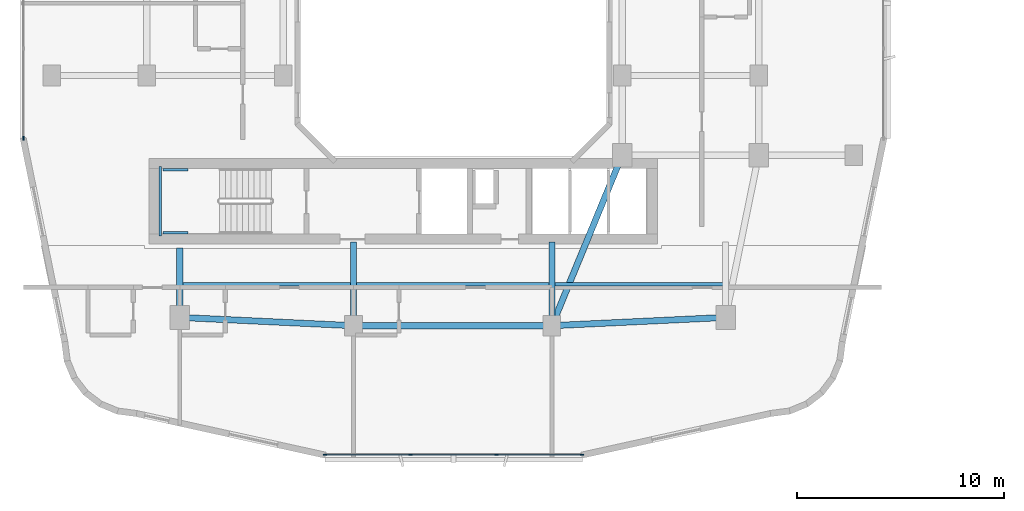
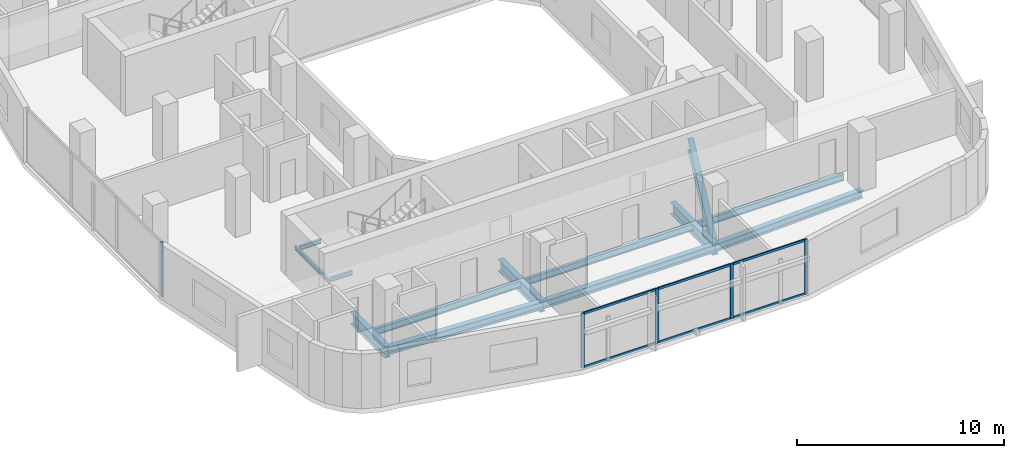
# One storey, part 2 of 25: 13 beams, 11 members, 2 elements without a shape of their own.
"""IFC4 building model written with IfcOpenShell, lengths in metres."""

from ifc_helpers import new_model, si_unit, derived_unit, direction, frame, origin, origin_2d, place, context, subcontext, project, spatial, rectangle, i_section, extrude, material, layer, layer_set, material_profile, profile_set, type_object, element, aggregate, save


model = new_model("IFC4")

# Units and contexts
model_context = context("Model", 3, precision=1e-05, world=origin(), true_north=direction((0.0, 1.0)))
body_context = subcontext(model_context, "Body", "Model", "MODEL_VIEW")
ifc_project = project(units=[si_unit("LENGTHUNIT", "METRE"), si_unit("AREAUNIT", "SQUARE_METRE"), si_unit("VOLUMEUNIT", "CUBIC_METRE"), si_unit("PLANEANGLEUNIT", "RADIAN"), si_unit("MASSUNIT", "GRAM", prefix="KILO"), derived_unit("THERMALTRANSMITTANCEUNIT", [(si_unit("POWERUNIT", "WATT"), 1), (si_unit("LENGTHUNIT", "METRE"), -2), (si_unit("THERMODYNAMICTEMPERATUREUNIT", "KELVIN"), -1)])], contexts=[model_context])

# Site, building, storey
site_placement = place(None, origin())
site = spatial("IfcSite", under=ifc_project, at=site_placement, CompositionType="ELEMENT")
building_placement = place(site_placement, origin())
building = spatial("IfcBuilding", under=site, at=building_placement, Name="Kivonza Crest Hotel", CompositionType="ELEMENT")
storey_placement = place(building_placement, frame((0.0, 0.0, 83.5)))
storey = spatial("IfcBuildingStorey", under=building, at=storey_placement, Name="L22", CompositionType="ELEMENT", Elevation=83.5)

# Beams
ifc_material_1 = material(Name="Steel S355", Category="steel")
ifc_material_profile_1 = material_profile(ifc_material_1, i_section(OverallWidth=0.300048828125, OverallDepth=0.449951171875, WebThickness=0.013916015625, FlangeThickness=0.02587890625, FilletRadius=0.027099609375, at=origin_2d()), Name="HEB 450")
ifc_profile_set_1 = profile_set([ifc_material_profile_1], Name="Steel S355")
beam_type_1 = type_object("IfcBeamType", Name="BM-HEB450", PredefinedType="SPANDREL", material=ifc_profile_set_1)
beam_1_placement = place(storey_placement, frame((16.199951171875, 9.39990234375, -0.5048828125), z_axis=(1.0, 0.0, 0.0), x_axis=(0.0, 1.0, 0.0)))
element("IfcBeam", 1, at=beam_1_placement, inside=storey, type_object=beam_type_1, Name="Tower T1 L22 perimeter spandrel S1-S2", PredefinedType="SPANDREL", context=body_context, shape_type="SweptSolid", body=[
    extrude(i_section(OverallWidth=0.300048828125, OverallDepth=0.449951171875, WebThickness=0.013916015625, FlangeThickness=0.02587890625, FilletRadius=0.027099609375, at=origin_2d()), origin(), (0.0, 0.0, 1.0), 9.60009765625),
])
for number, where, z_axis, x_axis, name in (
    (2, (25.800048828125, 9.39990234375, -0.5048828125), (0.998867283688, 0.047583080799, 0.0), (-0.047583080799, 0.998867283688, 0.0), "Tower T1 L22 perimeter spandrel S2-SE"),
    (3, (7.800048828125, 9.800048828125, -0.5048828125), (0.998867283688, -0.047583080799, 0.0), (0.047583080799, 0.998867283688, 0.0), "Tower T1 L22 perimeter spandrel SW-S1"),
):
    element("IfcBeam", number, at=place(storey_placement, frame(where, z_axis=z_axis, x_axis=x_axis)), inside=storey, type_object=beam_type_1, Name=name, PredefinedType="SPANDREL", context=body_context, shape_type="SweptSolid", body=[
        extrude(i_section(OverallWidth=0.300048828125, OverallDepth=0.449951171875, WebThickness=0.013916015625, FlangeThickness=0.02587890625, FilletRadius=0.027099609375, at=origin_2d()), origin(), (0.0, 0.0, 1.0), 8.409423828125),
    ])
ifc_material_profile_2 = material_profile(ifc_material_1, i_section(OverallWidth=0.300048828125, OverallDepth=0.699951171875, WebThickness=0.01708984375, FlangeThickness=0.031982421875, FilletRadius=0.027099609375, at=origin_2d()), Name="HEB 700")
ifc_profile_set_2 = profile_set([ifc_material_profile_2], Name="Steel S355")
beam_type_2 = type_object("IfcBeamType", Name="BM-HEB700", PredefinedType="BEAM", material=ifc_profile_set_2)
beam_2_placement = place(storey_placement, frame((25.800048828125, 9.39990234375, -0.6298828125), z_axis=(0.381022260404, 0.924565864109, 0.0), x_axis=(-0.924565864109, 0.381022260404, 0.0)))
element("IfcBeam", 4, at=beam_2_placement, inside=storey, type_object=beam_type_2, Name="Tower T1 L22 primary girder S1-TSE", PredefinedType="BEAM", context=body_context, shape_type="SweptSolid", body=[
    extrude(i_section(OverallWidth=0.300048828125, OverallDepth=0.699951171875, WebThickness=0.01708984375, FlangeThickness=0.031982421875, FilletRadius=0.027099609375, at=origin_2d()), origin(), (0.0, 0.0, 1.0), 8.923095703125),
])
beam_3_placement = place(storey_placement, frame((7.800048828125, 9.800048828125, -0.6298828125), z_axis=(0.0, 1.0, 0.0), x_axis=(-1.0, 0.0, 0.0)))
element("IfcBeam", 5, at=beam_3_placement, inside=storey, type_object=beam_type_2, Name="Tower T1 L22 radial core girder RSW", PredefinedType="BEAM", context=body_context, shape_type="SweptSolid", body=[
    extrude(i_section(OverallWidth=0.300048828125, OverallDepth=0.699951171875, WebThickness=0.01708984375, FlangeThickness=0.031982421875, FilletRadius=0.027099609375, at=origin_2d()), origin(), (0.0, 0.0, 1.0), 3.349853515625),
])
for number, where, z_axis, x_axis, name in (
    (6, (16.199951171875, 9.39990234375, -0.6298828125), (0.0, 1.0, 0.0), (-1.0, 0.0, 0.0), "Tower T1 L22 radial core girder RS1"),
    (7, (25.800048828125, 9.39990234375, -0.6298828125), (0.0, 1.0, 0.0), (-1.0, 0.0, 0.0), "Tower T1 L22 radial core girder RS2"),
):
    element("IfcBeam", number, at=place(storey_placement, frame(where, z_axis=z_axis, x_axis=x_axis)), inside=storey, type_object=beam_type_2, Name=name, PredefinedType="BEAM", context=body_context, shape_type="SweptSolid", body=[
        extrude(i_section(OverallWidth=0.300048828125, OverallDepth=0.699951171875, WebThickness=0.01708984375, FlangeThickness=0.031982421875, FilletRadius=0.027099609375, at=origin_2d()), origin(), (0.0, 0.0, 1.0), 4.050048828125),
    ])
ifc_material_profile_3 = material_profile(ifc_material_1, i_section(OverallWidth=0.179931640625, OverallDepth=0.39990234375, WebThickness=0.008544921875, FlangeThickness=0.013427734375, FilletRadius=0.02099609375, at=origin_2d()), Name="IPE 400")
ifc_profile_set_3 = profile_set([ifc_material_profile_3], Name="Steel S355")
beam_type_3 = type_object("IfcBeamType", Name="BM-IPE400", PredefinedType="JOIST", material=ifc_profile_set_3)
beam_4_placement = place(storey_placement, frame((7.8798828125, 11.39990234375, -0.47998046875), z_axis=(1.0, 0.0, 0.0), x_axis=(0.0, 1.0, 0.0)))
element("IfcBeam", 8, at=beam_4_placement, inside=storey, type_object=beam_type_3, Name="Tower T1 L22 South-West floor joist", PredefinedType="JOIST", context=body_context, shape_type="SweptSolid", body=[
    extrude(i_section(OverallWidth=0.179931640625, OverallDepth=0.39990234375, WebThickness=0.008544921875, FlangeThickness=0.013427734375, FilletRadius=0.02099609375, at=origin_2d()), origin(), (0.0, 0.0, 1.0), 8.240234375),
])
beam_5_placement = place(storey_placement, frame((16.280029296875, 11.39990234375, -0.47998046875), z_axis=(1.0, 0.0, 0.0), x_axis=(0.0, 1.0, 0.0)))
element("IfcBeam", 9, at=beam_5_placement, inside=storey, type_object=beam_type_3, Name="Tower T1 L22 South-Mid floor joist", PredefinedType="JOIST", context=body_context, shape_type="SweptSolid", body=[
    extrude(i_section(OverallWidth=0.179931640625, OverallDepth=0.39990234375, WebThickness=0.008544921875, FlangeThickness=0.013427734375, FilletRadius=0.02099609375, at=origin_2d()), origin(), (0.0, 0.0, 1.0), 9.43994140625),
])
beam_6_placement = place(storey_placement, frame((25.8798828125, 11.39990234375, -0.47998046875), z_axis=(1.0, 0.0, 0.0), x_axis=(0.0, 1.0, 0.0)))
element("IfcBeam", 10, at=beam_6_placement, inside=storey, type_object=beam_type_3, Name="Tower T1 L22 South-East floor joist", PredefinedType="JOIST", context=body_context, shape_type="SweptSolid", body=[
    extrude(i_section(OverallWidth=0.179931640625, OverallDepth=0.39990234375, WebThickness=0.008544921875, FlangeThickness=0.013427734375, FilletRadius=0.02099609375, at=origin_2d()), origin(), (0.0, 0.0, 1.0), 8.240234375),
])
ifc_material_profile_4 = material_profile(ifc_material_1, i_section(OverallWidth=0.1201171875, OverallDepth=0.239990234375, WebThickness=0.006103515625, FlangeThickness=0.009765625, FilletRadius=0.014892578125, at=origin_2d()), Name="IPE 240")
ifc_profile_set_4 = profile_set([ifc_material_profile_4], Name="Steel S355")
beam_type_4 = type_object("IfcBeamType", Name="BM-LLDG-240", PredefinedType="BEAM", material=ifc_profile_set_4)
beam_7_placement = place(storey_placement, frame((6.860107421875, 13.739990234375, 1.429931640625), z_axis=(0.0, 1.0, 0.0), x_axis=(-1.0, 0.0, 0.0)))
element("IfcBeam", 11, at=beam_7_placement, inside=storey, type_object=beam_type_4, Name="Stair ST-T1-S L22 West landing corbel", PredefinedType="BEAM", context=body_context, shape_type="SweptSolid", body=[
    extrude(i_section(OverallWidth=0.1201171875, OverallDepth=0.239990234375, WebThickness=0.006103515625, FlangeThickness=0.009765625, FilletRadius=0.014892578125, at=origin_2d()), origin(), (0.0, 0.0, 1.0), 3.360107421875),
])
for number, where, z_axis, x_axis, name in (
    (12, (6.989990234375, 13.89990234375, 1.429931640625), (1.0, 0.0, 0.0), (0.0, 1.0, 0.0), "Stair ST-T1-S L22 South landing corbel"),
    (13, (6.989990234375, 16.93994140625, 1.429931640625), (1.0, 0.0, 0.0), (0.0, 1.0, 0.0), "Stair ST-T1-S L22 North landing corbel"),
):
    element("IfcBeam", number, at=place(storey_placement, frame(where, z_axis=z_axis, x_axis=x_axis)), inside=storey, type_object=beam_type_4, Name=name, PredefinedType="BEAM", context=body_context, shape_type="SweptSolid", body=[
        extrude(i_section(OverallWidth=0.1201171875, OverallDepth=0.239990234375, WebThickness=0.006103515625, FlangeThickness=0.009765625, FilletRadius=0.014892578125, at=origin_2d()), origin(), (0.0, 0.0, 1.0), 1.2099609375),
    ])

# Curtain wall, members
ifc_material_2 = material(Name="Anodised bronze aluminium and low-E double glazing", Category="aluminium")
ifc_layer = layer(ifc_material_2, 0.179931640625)
ifc_layer_set = layer_set([ifc_layer], Name="Anodised bronze aluminium and low-E double glazing")
curtain_wall_type = type_object("IfcCurtainWallType", Name="CW-SYS-2", PredefinedType="NOTDEFINED", material=ifc_layer_set)
curtain_wall_1_placement = place(storey_placement, origin())
curtain_wall_1 = element("IfcCurtainWall", 14, at=curtain_wall_1_placement, inside=storey, type_object=curtain_wall_type, Name="L22 unitised curtain wall CW-T1-L22-08", PredefinedType="NOTDEFINED")
ifc_material_3 = material(Name="Anodised bronze aluminium", Category="aluminium")
ifc_material_profile_5 = material_profile(ifc_material_3, rectangle(XDim=0.06494140625, YDim=0.179931640625, at=origin_2d()), Name="CW-M 65x180")
ifc_profile_set_5 = profile_set([ifc_material_profile_5], Name="Anodised bronze aluminium")
member_type_1 = type_object("IfcMemberType", Name="CW-MUL-65x180", PredefinedType="MULLION", material=ifc_profile_set_5)
member_1_placement = place(storey_placement, frame((14.824462890625, 3.159912109375, 0.0), z_axis=(0.0, 0.0, 1.0), x_axis=(0.0, 1.0, 0.0)))
member_1 = element("IfcMember", 15, at=member_1_placement, type_object=member_type_1, Name="CW-2 mullion 1", PredefinedType="MULLION", context=body_context, shape_type="SweptSolid", body=[
    extrude(rectangle(XDim=0.06494140625, YDim=0.179931640625, at=origin_2d()), origin(), (0.0, 0.0, 1.0), 3.219970703125),
])
member_2_placement = place(storey_placement, frame((18.957275390625, 3.159912109375, 0.0), z_axis=(0.0, 0.0, 1.0), x_axis=(0.0, 1.0, 0.0)))
member_2 = element("IfcMember", 16, at=member_2_placement, type_object=member_type_1, Name="CW-2 mullion 2", PredefinedType="MULLION", context=body_context, shape_type="SweptSolid", body=[
    extrude(rectangle(XDim=0.06494140625, YDim=0.179931640625, at=origin_2d()), origin(), (0.0, 0.0, 1.0), 3.219970703125),
])
member_3_placement = place(storey_placement, frame((23.12255859375, 3.159912109375, 0.0), z_axis=(0.0, 0.0, 1.0), x_axis=(0.0, 1.0, 0.0)))
member_3 = element("IfcMember", 17, at=member_3_placement, type_object=member_type_1, Name="CW-2 mullion 3", PredefinedType="MULLION", context=body_context, shape_type="SweptSolid", body=[
    extrude(rectangle(XDim=0.06494140625, YDim=0.179931640625, at=origin_2d()), origin(), (0.0, 0.0, 1.0), 3.219970703125),
])
member_4_placement = place(storey_placement, frame((27.255615234375, 3.159912109375, 0.0), z_axis=(0.0, 0.0, 1.0), x_axis=(0.0, 1.0, 0.0)))
member_4 = element("IfcMember", 18, at=member_4_placement, type_object=member_type_1, Name="CW-2 mullion 4", PredefinedType="MULLION", context=body_context, shape_type="SweptSolid", body=[
    extrude(rectangle(XDim=0.06494140625, YDim=0.179931640625, at=origin_2d()), origin(), (0.0, 0.0, 1.0), 3.219970703125),
])

# Curtain wall, member
curtain_wall_2_placement = place(storey_placement, origin())
curtain_wall_2 = element("IfcCurtainWall", 19, at=curtain_wall_2_placement, inside=storey, type_object=curtain_wall_type, Name="L22 unitised curtain wall CW-T1-L22-35", PredefinedType="NOTDEFINED")
member_5_placement = place(storey_placement, frame((0.239990234375, 18.472412109375, 0.0), z_axis=(0.0, 0.0, 1.0), x_axis=(1.0, 0.0, 0.0)))
member_5 = element("IfcMember", 20, at=member_5_placement, type_object=member_type_1, Name="CW-2 mullion 4", PredefinedType="MULLION", context=body_context, shape_type="SweptSolid", body=[
    extrude(rectangle(XDim=0.06494140625, YDim=0.179931640625, at=origin_2d()), origin(), (0.0, 0.0, 1.0), 3.219970703125),
])
aggregate(curtain_wall_2, [member_5])

# Member
ifc_material_profile_6 = material_profile(ifc_material_3, rectangle(XDim=0.06494140625, YDim=0.139892578125, at=origin_2d()), Name="CW-T 65x140")
ifc_profile_set_6 = profile_set([ifc_material_profile_6], Name="Anodised bronze aluminium")
member_type_2 = type_object("IfcMemberType", Name="CW-TRN-65x140", PredefinedType="USERDEFINED", material=ifc_profile_set_6)
member_6_placement = place(storey_placement, frame((14.85693359375, 3.159912109375, 0.032470703125), z_axis=(1.0, 0.0, 0.0), x_axis=(0.0, 1.0, 0.0)))
member_6 = element("IfcMember", 21, at=member_6_placement, type_object=member_type_2, Name="CW-2 transom 1.1", ObjectType="TRANSOM", PredefinedType="USERDEFINED", context=body_context, shape_type="SweptSolid", body=[
    extrude(rectangle(XDim=0.06494140625, YDim=0.139892578125, at=origin_2d()), origin(), (0.0, 0.0, 1.0), 4.06787109375),
])

member_7_placement = place(storey_placement, frame((14.85693359375, 3.159912109375, 3.1875), z_axis=(1.0, 0.0, 0.0), x_axis=(0.0, 1.0, 0.0)))
member_7 = element("IfcMember", 22, at=member_7_placement, type_object=member_type_2, Name="CW-2 transom 1.2", ObjectType="TRANSOM", PredefinedType="USERDEFINED", context=body_context, shape_type="SweptSolid", body=[
    extrude(rectangle(XDim=0.06494140625, YDim=0.139892578125, at=origin_2d()), origin(), (0.0, 0.0, 1.0), 4.06787109375),
])

member_8_placement = place(storey_placement, frame((18.98974609375, 3.159912109375, 0.032470703125), z_axis=(1.0, 0.0, 0.0), x_axis=(0.0, 1.0, 0.0)))
member_8 = element("IfcMember", 23, at=member_8_placement, type_object=member_type_2, Name="CW-2 transom 2.1", ObjectType="TRANSOM", PredefinedType="USERDEFINED", context=body_context, shape_type="SweptSolid", body=[
    extrude(rectangle(XDim=0.06494140625, YDim=0.139892578125, at=origin_2d()), origin(), (0.0, 0.0, 1.0), 4.100341796875),
])

member_9_placement = place(storey_placement, frame((18.98974609375, 3.159912109375, 3.1875), z_axis=(1.0, 0.0, 0.0), x_axis=(0.0, 1.0, 0.0)))
member_9 = element("IfcMember", 24, at=member_9_placement, type_object=member_type_2, Name="CW-2 transom 2.2", ObjectType="TRANSOM", PredefinedType="USERDEFINED", context=body_context, shape_type="SweptSolid", body=[
    extrude(rectangle(XDim=0.06494140625, YDim=0.139892578125, at=origin_2d()), origin(), (0.0, 0.0, 1.0), 4.100341796875),
])

member_10_placement = place(storey_placement, frame((23.1552734375, 3.159912109375, 0.032470703125), z_axis=(1.0, 0.0, 0.0), x_axis=(0.0, 1.0, 0.0)))
member_10 = element("IfcMember", 25, at=member_10_placement, type_object=member_type_2, Name="CW-2 transom 3.1", ObjectType="TRANSOM", PredefinedType="USERDEFINED", context=body_context, shape_type="SweptSolid", body=[
    extrude(rectangle(XDim=0.06494140625, YDim=0.139892578125, at=origin_2d()), origin(), (0.0, 0.0, 1.0), 4.067626953125),
])

member_11_placement = place(storey_placement, frame((23.1552734375, 3.159912109375, 3.1875), z_axis=(1.0, 0.0, 0.0), x_axis=(0.0, 1.0, 0.0)))
member_11 = element("IfcMember", 26, at=member_11_placement, type_object=member_type_2, Name="CW-2 transom 3.2", ObjectType="TRANSOM", PredefinedType="USERDEFINED", context=body_context, shape_type="SweptSolid", body=[
    extrude(rectangle(XDim=0.06494140625, YDim=0.139892578125, at=origin_2d()), origin(), (0.0, 0.0, 1.0), 4.067626953125),
])

aggregate(curtain_wall_1, [member_1, member_2, member_3, member_4, member_6, member_7, member_8, member_9, member_10, member_11])

save(model, "model.ifc")
